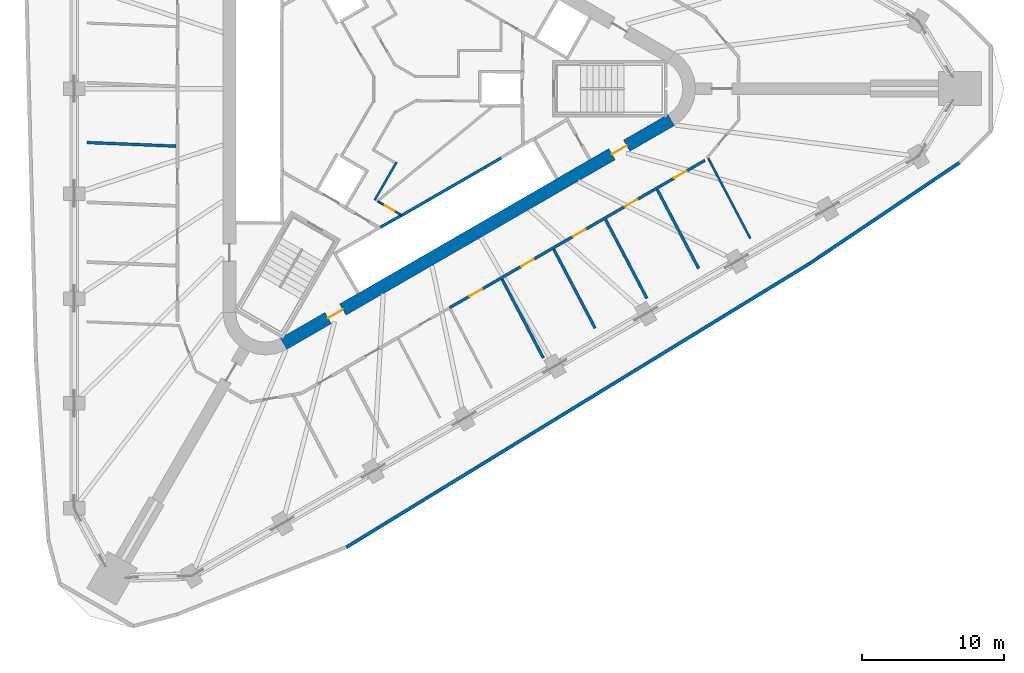
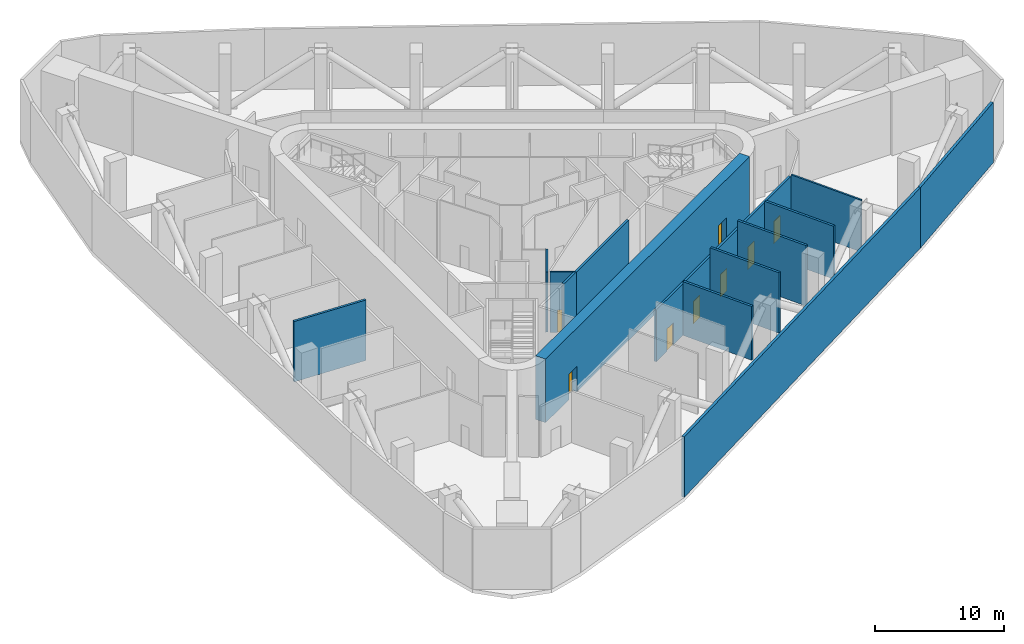
# One storey, part 4 of 13: 14 walls, 8 doors, 8 openings.
"""IFC4 building model written with IfcOpenShell, lengths in metres."""

from ifc_helpers import new_model, si_unit, direction, frame, frame_2d, origin, place, context, subcontext, project, spatial, rectangle, extrude, material, layer, layer_set, type_object, element, fill, save


model = new_model("IFC4")

# Units and contexts
model_context = context("Model", 3, precision=1e-05, world=origin(), true_north=direction((0.0, 1.0)))
body_context = subcontext(model_context, "Body", "Model", "MODEL_VIEW")
ifc_project = project(units=[si_unit("LENGTHUNIT", "METRE"), si_unit("AREAUNIT", "SQUARE_METRE"), si_unit("VOLUMEUNIT", "CUBIC_METRE"), si_unit("PLANEANGLEUNIT", "RADIAN"), si_unit("MASSUNIT", "GRAM", prefix="KILO")], contexts=[model_context])

# Site, building, storey
site_placement = place(None, origin())
site = spatial("IfcSite", under=ifc_project, at=site_placement, CompositionType="ELEMENT")
building_placement = place(site_placement, origin())
building = spatial("IfcBuilding", under=site, at=building_placement, Name="Tanit Gate Tower", CompositionType="ELEMENT")
storey_placement = place(building_placement, frame((0.0, 0.0, 163.199951171875)))
storey = spatial("IfcBuildingStorey", under=building, at=storey_placement, Name="L35", CompositionType="ELEMENT", Elevation=163.199951171875)

# Wall, openings, doors
ifc_material_1 = material(Name="Concrete C60/75", Category="concrete")
ifc_layer_1 = layer(ifc_material_1, 0.89990234375)
ifc_layer_set_1 = layer_set([ifc_layer_1], Name="CORE WALL 900 C60/75")
wall_type_1 = type_object("IfcWallType", Name="CORE WALL 900 C60/75", PredefinedType="SHEAR", material=ifc_layer_set_1)
wall_1_placement = place(storey_placement, frame((-7.824951171875, -17.969970703125, 0.0), z_axis=(0.0, 0.0, 1.0), x_axis=(0.866028369851, 0.499994862586, 0.0)))
wall_1 = element("IfcWall", 1, at=wall_1_placement, inside=storey, type_object=wall_type_1, Name="CORE WALL", PredefinedType="SHEAR", context=body_context, shape_type="SweptSolid", body=[
    extrude(rectangle(XDim=31.523193359375, YDim=0.89990234375, at=frame_2d((15.76171875, 0.0))), origin(), (0.0, 0.0, 1.0), 6.0),
])
opening_1_placement = place(wall_1_placement, frame((26.711669921875, 0.0, 0.0)))
opening_1 = element("IfcOpeningElement", 2, at=opening_1_placement, cuts=wall_1, Name="Opening F12-35-S1", PredefinedType="OPENING", context=body_context, shape_type="SweptSolid", body=[
    extrude(rectangle(XDim=1.199951171875, YDim=2.39990234375, at=frame_2d((0.60009765625, 1.199951171875))), frame((0.0, 0.4599609375, 0.0), z_axis=(0.0, -1.0, 0.0), x_axis=(1.0, 0.0, 0.0)), (0.0, 0.0, 1.0), 0.919921875),
])
opening_2_placement = place(wall_1_placement, frame((3.611572265625, 0.0, 0.0)))
opening_2 = element("IfcOpeningElement", 3, at=opening_2_placement, cuts=wall_1, Name="Opening F12-35-FL3", PredefinedType="OPENING", context=body_context, shape_type="SweptSolid", body=[
    extrude(rectangle(XDim=1.199951171875, YDim=2.39990234375, at=frame_2d((0.60009765625, 1.199951171875))), frame((0.0, 0.4599609375, 0.0), z_axis=(0.0, -1.0, 0.0), x_axis=(1.0, 0.0, 0.0)), (0.0, 0.0, 1.0), 0.919921875),
])
ifc_material_2 = material(Name="Fire-rated steel door leaf", Category="steel")
door_type_1 = type_object("IfcDoorType", Name="INT-DOOR-FIRE-LOBBY-1200", OperationType="NOTDEFINED", PredefinedType="USERDEFINED", material=ifc_material_2)
door_1_placement = place(opening_1_placement, origin())
door_1 = element("IfcDoor", 4, at=door_1_placement, inside=storey, type_object=door_type_1, Name="Door F12-35-S1", ObjectType="FIRE DOOR", OperationType="SINGLE_SWING_LEFT", OverallHeight=2.39990234375, OverallWidth=1.199951171875, PredefinedType="USERDEFINED", context=body_context, shape_type="SweptSolid", body=[
    extrude(rectangle(XDim=1.199951171875, YDim=2.39990234375, at=frame_2d((0.60009765625, 1.199951171875))), frame((0.0, 0.02490234375, 0.0), z_axis=(0.0, -1.0, 0.0), x_axis=(1.0, 0.0, 0.0)), (0.0, 0.0, 1.0), 0.050048828125),
])
fill(opening_1, door_1)
door_2_placement = place(opening_2_placement, origin())
door_2 = element("IfcDoor", 5, at=door_2_placement, inside=storey, type_object=door_type_1, Name="Door F12-35-FL3", ObjectType="FIRE DOOR", OperationType="SINGLE_SWING_LEFT", OverallHeight=2.39990234375, OverallWidth=1.199951171875, PredefinedType="USERDEFINED", context=body_context, shape_type="SweptSolid", body=[
    extrude(rectangle(XDim=1.199951171875, YDim=2.39990234375, at=frame_2d((0.60009765625, 1.199951171875))), frame((0.0, 0.02490234375, 0.0), z_axis=(0.0, -1.0, 0.0), x_axis=(1.0, 0.0, 0.0)), (0.0, 0.0, 1.0), 0.050048828125),
])
fill(opening_2, door_2)

# Walls
ifc_material_3 = material(Name="Concrete C30/37 with bronze anodised aluminium cladding", Category="concrete")
ifc_layer_2 = layer(ifc_material_3, 0.239990234375)
ifc_layer_set_2 = layer_set([ifc_layer_2], Name="Facade wall bronze clad 240")
wall_type_2 = type_object("IfcWallType", Name="Facade wall bronze clad 240", PredefinedType="SOLIDWALL", material=ifc_layer_set_2)
wall_2_placement = place(storey_placement, frame((-3.41015625, -32.31787109375, 0.0), z_axis=(0.0, 0.0, 1.0), x_axis=(0.852773716093, 0.52228056554, 0.0)))
element("IfcWall", 6, at=wall_2_placement, inside=storey, type_object=wall_type_2, Name="Bronze-clad facade wall L35 SE2", PredefinedType="SOLIDWALL", context=body_context, shape_type="SweptSolid", body=[
    extrude(rectangle(XDim=38.239013671875, YDim=0.239990234375, at=frame_2d((19.11962890625, 0.0))), origin(), (0.0, 0.0, 1.0), 5.699951171875),
])
wall_3_placement = place(storey_placement, frame((29.198974609375, -12.346435546875, 0.0), z_axis=(0.0, 0.0, 1.0), x_axis=(0.829560992303, 0.558416117291, 0.0)))
element("IfcWall", 7, at=wall_3_placement, inside=storey, type_object=wall_type_2, Name="Bronze-clad facade wall L35 SE3", PredefinedType="SOLIDWALL", context=body_context, shape_type="SweptSolid", body=[
    extrude(rectangle(XDim=12.762451171875, YDim=0.239990234375, at=frame_2d((6.38134765625, 0.0))), origin(), (0.0, 0.0, 1.0), 5.699951171875),
])
ifc_material_4 = material(Name="Fire-rated gypsum board partition")
ifc_layer_3 = layer(ifc_material_4, 0.199951171875)
ifc_layer_set_3 = layer_set([ifc_layer_3], Name="INT-WALL-COMPARTMENT")
wall_type_3 = type_object("IfcWallType", Name="INT-WALL-COMPARTMENT", PredefinedType="PARTITIONING", material=ifc_layer_set_3)
wall_4_placement = place(storey_placement, frame((-15.39990234375, -4.047607421875, 0.0), z_axis=(0.0, 0.0, 1.0), x_axis=(-0.999168860774, 0.04076257671, 0.0)))
element("IfcWall", 8, at=wall_4_placement, inside=storey, type_object=wall_type_3, Name="Wall Compartment W109", PredefinedType="PARTITIONING", context=body_context, shape_type="SweptSolid", body=[
    extrude(rectangle(XDim=6.28271484375, YDim=0.199951171875, at=frame_2d((3.141357421875, 0.0))), origin(), (0.0, 0.0, 1.0), 5.699951171875),
])

# Wall, openings, doors
wall_5_placement = place(storey_placement, frame((3.8603515625, -15.438232421875, 0.0), z_axis=(0.0, 0.0, 1.0), x_axis=(0.866025161861, 0.500000419024, 0.0)))
wall_5 = element("IfcWall", 9, at=wall_5_placement, inside=storey, type_object=wall_type_3, Name="Wall Compartment W134", PredefinedType="PARTITIONING", context=body_context, shape_type="SweptSolid", body=[
    extrude(rectangle(XDim=20.78125, YDim=0.199951171875, at=frame_2d((10.390625, 0.0))), origin(), (0.0, 0.0, 1.0), 4.880126953125),
])
opening_3_placement = place(wall_5_placement, frame((1.63623046875, 0.0, 0.0)))
opening_3 = element("IfcOpeningElement", 10, at=opening_3_placement, cuts=wall_5, Name="Opening F10-35-39", PredefinedType="OPENING", context=body_context, shape_type="SweptSolid", body=[
    extrude(rectangle(XDim=1.0, YDim=2.10009765625, at=frame_2d((0.5, 1.050048828125))), frame((0.0, 0.10986328125, 0.0), z_axis=(0.0, -1.0, 0.0), x_axis=(1.0, 0.0, 0.0)), (0.0, 0.0, 1.0), 0.219970703125),
])
opening_4_placement = place(wall_5_placement, frame((5.84619140625, 0.0, 0.0)))
opening_4 = element("IfcOpeningElement", 11, at=opening_4_placement, cuts=wall_5, Name="Opening F10-35-40", PredefinedType="OPENING", context=body_context, shape_type="SweptSolid", body=[
    extrude(rectangle(XDim=1.0, YDim=2.10009765625, at=frame_2d((0.5, 1.050048828125))), frame((0.0, 0.10986328125, 0.0), z_axis=(0.0, -1.0, 0.0), x_axis=(1.0, 0.0, 0.0)), (0.0, 0.0, 1.0), 0.219970703125),
])
opening_5_placement = place(wall_5_placement, frame((10.05615234375, 0.0, 0.0)))
opening_5 = element("IfcOpeningElement", 12, at=opening_5_placement, cuts=wall_5, Name="Opening F10-35-41", PredefinedType="OPENING", context=body_context, shape_type="SweptSolid", body=[
    extrude(rectangle(XDim=1.0, YDim=2.10009765625, at=frame_2d((0.5, 1.050048828125))), frame((0.0, 0.10986328125, 0.0), z_axis=(0.0, -1.0, 0.0), x_axis=(1.0, 0.0, 0.0)), (0.0, 0.0, 1.0), 0.219970703125),
])
opening_6_placement = place(wall_5_placement, frame((14.26611328125, 0.0, 0.0)))
opening_6 = element("IfcOpeningElement", 13, at=opening_6_placement, cuts=wall_5, Name="Opening F10-35-42", PredefinedType="OPENING", context=body_context, shape_type="SweptSolid", body=[
    extrude(rectangle(XDim=1.0, YDim=2.10009765625, at=frame_2d((0.5, 1.050048828125))), frame((0.0, 0.10986328125, 0.0), z_axis=(0.0, -1.0, 0.0), x_axis=(1.0, 0.0, 0.0)), (0.0, 0.0, 1.0), 0.219970703125),
])
opening_7_placement = place(wall_5_placement, frame((18.276123046875, 0.0, 0.0)))
opening_7 = element("IfcOpeningElement", 14, at=opening_7_placement, cuts=wall_5, Name="Opening F10-35-43", PredefinedType="OPENING", context=body_context, shape_type="SweptSolid", body=[
    extrude(rectangle(XDim=1.0, YDim=2.10009765625, at=frame_2d((0.5, 1.050048828125))), frame((0.0, 0.10986328125, 0.0), z_axis=(0.0, -1.0, 0.0), x_axis=(1.0, 0.0, 0.0)), (0.0, 0.0, 1.0), 0.219970703125),
])
ifc_material_5 = material(Name="Fire-rated steel door leaf", Category="steel")
door_type_2 = type_object("IfcDoorType", Name="INT-DOOR-FIRE-1000", OperationType="NOTDEFINED", PredefinedType="USERDEFINED", material=ifc_material_5)
door_3_placement = place(opening_3_placement, origin())
door_3 = element("IfcDoor", 15, at=door_3_placement, inside=storey, type_object=door_type_2, Name="Door F10-35-39", ObjectType="FIRE DOOR", OperationType="SINGLE_SWING_RIGHT", OverallHeight=2.10009765625, OverallWidth=1.0, PredefinedType="USERDEFINED", context=body_context, shape_type="SweptSolid", body=[
    extrude(rectangle(XDim=1.0, YDim=2.10009765625, at=frame_2d((0.5, 1.050048828125))), frame((0.0, 0.02490234375, 0.0), z_axis=(0.0, -1.0, 0.0), x_axis=(1.0, 0.0, 0.0)), (0.0, 0.0, 1.0), 0.050048828125),
])
fill(opening_3, door_3)
door_4_placement = place(opening_4_placement, origin())
door_4 = element("IfcDoor", 16, at=door_4_placement, inside=storey, type_object=door_type_2, Name="Door F10-35-40", ObjectType="FIRE DOOR", OperationType="SINGLE_SWING_LEFT", OverallHeight=2.10009765625, OverallWidth=1.0, PredefinedType="USERDEFINED", context=body_context, shape_type="SweptSolid", body=[
    extrude(rectangle(XDim=1.0, YDim=2.10009765625, at=frame_2d((0.5, 1.050048828125))), frame((0.0, 0.02490234375, 0.0), z_axis=(0.0, -1.0, 0.0), x_axis=(1.0, 0.0, 0.0)), (0.0, 0.0, 1.0), 0.050048828125),
])
fill(opening_4, door_4)
door_5_placement = place(opening_5_placement, origin())
door_5 = element("IfcDoor", 17, at=door_5_placement, inside=storey, type_object=door_type_2, Name="Door F10-35-41", ObjectType="FIRE DOOR", OperationType="SINGLE_SWING_RIGHT", OverallHeight=2.10009765625, OverallWidth=1.0, PredefinedType="USERDEFINED", context=body_context, shape_type="SweptSolid", body=[
    extrude(rectangle(XDim=1.0, YDim=2.10009765625, at=frame_2d((0.5, 1.050048828125))), frame((0.0, 0.02490234375, 0.0), z_axis=(0.0, -1.0, 0.0), x_axis=(1.0, 0.0, 0.0)), (0.0, 0.0, 1.0), 0.050048828125),
])
fill(opening_5, door_5)
door_6_placement = place(opening_6_placement, origin())
door_6 = element("IfcDoor", 18, at=door_6_placement, inside=storey, type_object=door_type_2, Name="Door F10-35-42", ObjectType="FIRE DOOR", OperationType="SINGLE_SWING_LEFT", OverallHeight=2.10009765625, OverallWidth=1.0, PredefinedType="USERDEFINED", context=body_context, shape_type="SweptSolid", body=[
    extrude(rectangle(XDim=1.0, YDim=2.10009765625, at=frame_2d((0.5, 1.050048828125))), frame((0.0, 0.02490234375, 0.0), z_axis=(0.0, -1.0, 0.0), x_axis=(1.0, 0.0, 0.0)), (0.0, 0.0, 1.0), 0.050048828125),
])
fill(opening_6, door_6)
door_7_placement = place(opening_7_placement, origin())
door_7 = element("IfcDoor", 19, at=door_7_placement, inside=storey, type_object=door_type_2, Name="Door F10-35-43", ObjectType="FIRE DOOR", OperationType="SINGLE_SWING_RIGHT", OverallHeight=2.10009765625, OverallWidth=1.0, PredefinedType="USERDEFINED", context=body_context, shape_type="SweptSolid", body=[
    extrude(rectangle(XDim=1.0, YDim=2.10009765625, at=frame_2d((0.5, 1.050048828125))), frame((0.0, 0.02490234375, 0.0), z_axis=(0.0, -1.0, 0.0), x_axis=(1.0, 0.0, 0.0)), (0.0, 0.0, 1.0), 0.050048828125),
])
fill(opening_7, door_7)

# Walls
wall_6_placement = place(storey_placement, frame((10.476318359375, -18.982421875, 0.0), z_axis=(0.0, 0.0, 1.0), x_axis=(-0.464291570552, 0.885682413461, 0.0)))
element("IfcWall", 20, at=wall_6_placement, inside=storey, type_object=wall_type_3, Name="Wall Compartment W145", PredefinedType="PARTITIONING", context=body_context, shape_type="SweptSolid", body=[
    extrude(rectangle(XDim=6.28271484375, YDim=0.199951171875, at=frame_2d((3.141357421875, 0.0))), origin(), (0.0, 0.0, 1.0), 5.070068359375),
])
for number, where, z_axis, x_axis, name in (
    (21, (14.122314453125, -16.87744140625, 0.0), (0.0, 0.0, 1.0), (-0.464291570552, 0.885682413461, 0.0), "Wall Compartment W146"),
    (22, (17.76806640625, -14.7724609375, 0.0), (0.0, 0.0, 1.0), (-0.464291570552, 0.885682413461, 0.0), "Wall Compartment W147"),
):
    element("IfcWall", number, at=place(storey_placement, frame(where, z_axis=z_axis, x_axis=x_axis)), inside=storey, type_object=wall_type_3, Name=name, PredefinedType="PARTITIONING", context=body_context, shape_type="SweptSolid", body=[
        extrude(rectangle(XDim=6.28271484375, YDim=0.199951171875, at=frame_2d((3.141357421875, 0.0))), origin(), (0.0, 0.0, 1.0), 5.699951171875),
    ])
wall_7_placement = place(storey_placement, frame((18.4970703125, -7.10302734375, 0.0), z_axis=(0.0, 0.0, 1.0), x_axis=(0.464291570552, -0.885682413461, 0.0)))
element("IfcWall", 23, at=wall_7_placement, inside=storey, type_object=wall_type_3, Name="Wall Compartment W148", PredefinedType="PARTITIONING", context=body_context, shape_type="SweptSolid", body=[
    extrude(rectangle(XDim=6.28271484375, YDim=0.199951171875, at=frame_2d((3.141357421875, 0.0))), origin(), (0.0, 0.0, 1.0), 4.97998046875),
])

# Wall, opening, door
ifc_material_6 = material(Name="Gypsum board partition")
ifc_layer_4 = layer(ifc_material_6, 0.1201171875)
ifc_layer_set_4 = layer_set([ifc_layer_4], Name="INT-WALL-PARTITION")
wall_type_4 = type_object("IfcWallType", Name="INT-WALL-PARTITION", PredefinedType="PARTITIONING", material=ifc_layer_set_4)
wall_8_placement = place(storey_placement, frame((-1.19482421875, -7.936279296875, 0.0), z_axis=(0.0, 0.0, 1.0), x_axis=(0.864964234746, -0.501833510848, 0.0)))
wall_8 = element("IfcWall", 24, at=wall_8_placement, inside=storey, type_object=wall_type_4, Name="Wall Partition W081", PredefinedType="PARTITIONING", context=body_context, shape_type="SweptSolid", body=[
    extrude(rectangle(XDim=1.930908203125, YDim=0.1201171875, at=frame_2d((0.96533203125, 0.0))), origin(), (0.0, 0.0, 1.0), 5.699951171875),
])
opening_8_placement = place(wall_8_placement, frame((0.5654296875, 0.0, 0.0)))
opening_8 = element("IfcOpeningElement", 25, at=opening_8_placement, cuts=wall_8, Name="Opening R08-35-12", PredefinedType="OPENING", context=body_context, shape_type="SweptSolid", body=[
    extrude(rectangle(XDim=0.800048828125, YDim=2.10009765625, at=frame_2d((0.39990234375, 1.050048828125))), frame((0.0, 0.070068359375, 0.0), z_axis=(0.0, -1.0, 0.0), x_axis=(1.0, 0.0, 0.0)), (0.0, 0.0, 1.0), 0.14013671875),
])
ifc_material_7 = material(Name="Timber door leaf", Category="wood")
door_type_3 = type_object("IfcDoorType", Name="INT-DOOR-RISER-800", OperationType="NOTDEFINED", PredefinedType="USERDEFINED", material=ifc_material_7)
door_8_placement = place(opening_8_placement, origin())
door_8 = element("IfcDoor", 26, at=door_8_placement, inside=storey, type_object=door_type_3, Name="Door R08-35-12", ObjectType="FIRE DOOR", OperationType="SINGLE_SWING_RIGHT", OverallHeight=2.10009765625, OverallWidth=0.800048828125, PredefinedType="USERDEFINED", context=body_context, shape_type="SweptSolid", body=[
    extrude(rectangle(XDim=0.800048828125, YDim=2.10009765625, at=frame_2d((0.39990234375, 1.050048828125))), frame((0.0, 0.02490234375, 0.0), z_axis=(0.0, -1.0, 0.0), x_axis=(1.0, 0.0, 0.0)), (0.0, 0.0, 1.0), 0.050048828125),
])
fill(opening_8, door_8)

# Walls
ifc_material_8 = material(Name="Fire-rated gypsum board partition")
ifc_layer_5 = layer(ifc_material_8, 0.14990234375)
ifc_layer_set_5 = layer_set([ifc_layer_5], Name="INT-WALL-RISER")
wall_type_5 = type_object("IfcWallType", Name="INT-WALL-RISER", PredefinedType="PLUMBINGWALL", material=ifc_layer_set_5)
wall_9_placement = place(storey_placement, frame((0.125732421875, -5.18212890625, 0.0), z_axis=(0.0, 0.0, 1.0), x_axis=(-0.499956128963, -0.866050731258, 0.0)))
element("IfcWall", 27, at=wall_9_placement, inside=storey, type_object=wall_type_5, Name="Wall Riser W076", PredefinedType="PLUMBINGWALL", context=body_context, shape_type="SweptSolid", body=[
    extrude(rectangle(XDim=3.074951171875, YDim=0.14990234375, at=frame_2d((1.53759765625, 0.0))), origin(), (0.0, 0.0, 1.0), 5.699951171875),
])
wall_10_placement = place(storey_placement, frame((22.086669921875, -4.890869140625, 0.0), z_axis=(0.0, 0.0, 1.0), x_axis=(0.464317524296, -0.88566880753, 0.0)))
element("IfcWall", 28, at=wall_10_placement, inside=storey, type_object=wall_type_5, Name="Wall Riser W149", PredefinedType="PLUMBINGWALL", context=body_context, shape_type="SweptSolid", body=[
    extrude(rectangle(XDim=6.40380859375, YDim=0.14990234375, at=frame_2d((3.201904296875, 0.0))), origin(), (0.0, 0.0, 1.0), 4.880126953125),
])
ifc_material_9 = material(Name="Gypsum shaft wall system")
ifc_layer_6 = layer(ifc_material_9, 0.199951171875)
ifc_layer_set_6 = layer_set([ifc_layer_6], Name="INT-WALL-SHAFT")
wall_type_6 = type_object("IfcWallType", Name="INT-WALL-SHAFT", PredefinedType="PLUMBINGWALL", material=ifc_layer_set_6)
wall_11_placement = place(storey_placement, frame((0.482666015625, -8.935791015625, 0.0), z_axis=(0.0, 0.0, 1.0), x_axis=(0.866030989016, 0.499990325971, 0.0)))
element("IfcWall", 29, at=wall_11_placement, inside=storey, type_object=wall_type_6, Name="Wall Shaft W023", PredefinedType="PLUMBINGWALL", context=body_context, shape_type="SweptSolid", body=[
    extrude(rectangle(XDim=8.099853515625, YDim=0.199951171875, at=frame_2d((4.0498046875, 0.0))), origin(), (0.0, 0.0, 1.0), 5.699951171875),
])
wall_12_placement = place(storey_placement, frame((-1.13037109375, -9.83154296875, 0.0), z_axis=(0.0, 0.0, 1.0), x_axis=(0.871988740738, 0.489525929882, 0.0)))
element("IfcWall", 30, at=wall_12_placement, inside=storey, type_object=wall_type_6, Name="Wall Shaft W022", PredefinedType="PLUMBINGWALL", context=body_context, shape_type="SweptSolid", body=[
    extrude(rectangle(XDim=1.8447265625, YDim=0.199951171875, at=frame_2d((0.92236328125, 0.0))), origin(), (0.0, 0.0, 1.0), 5.699951171875),
])

save(model, "model.ifc")
